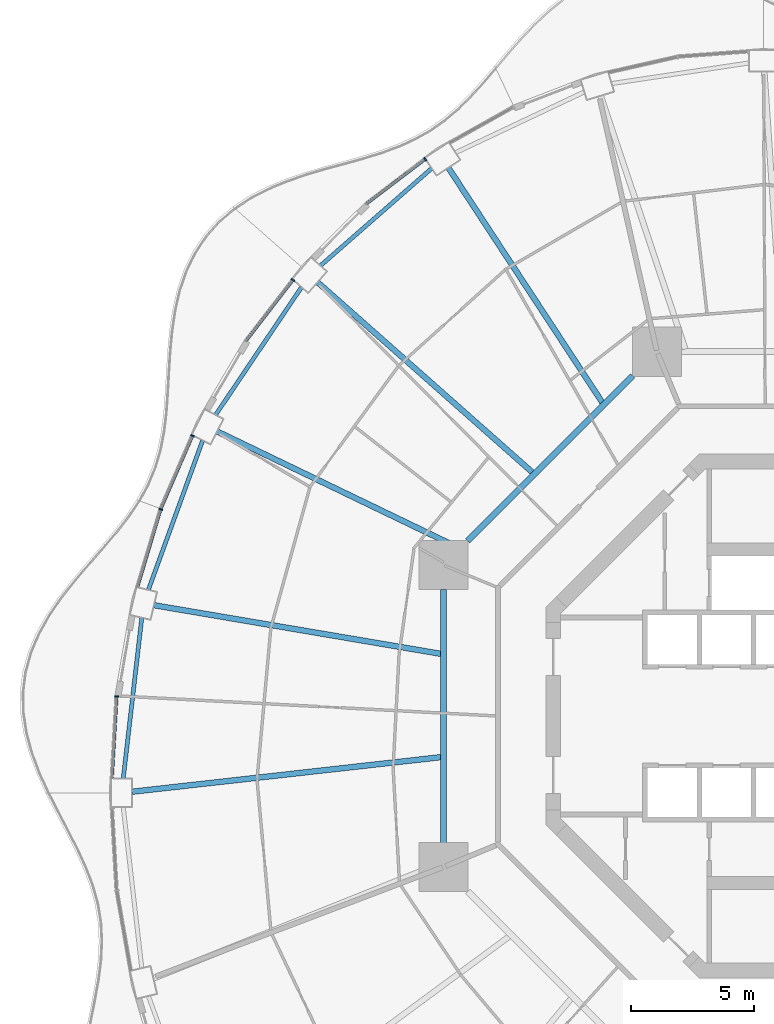
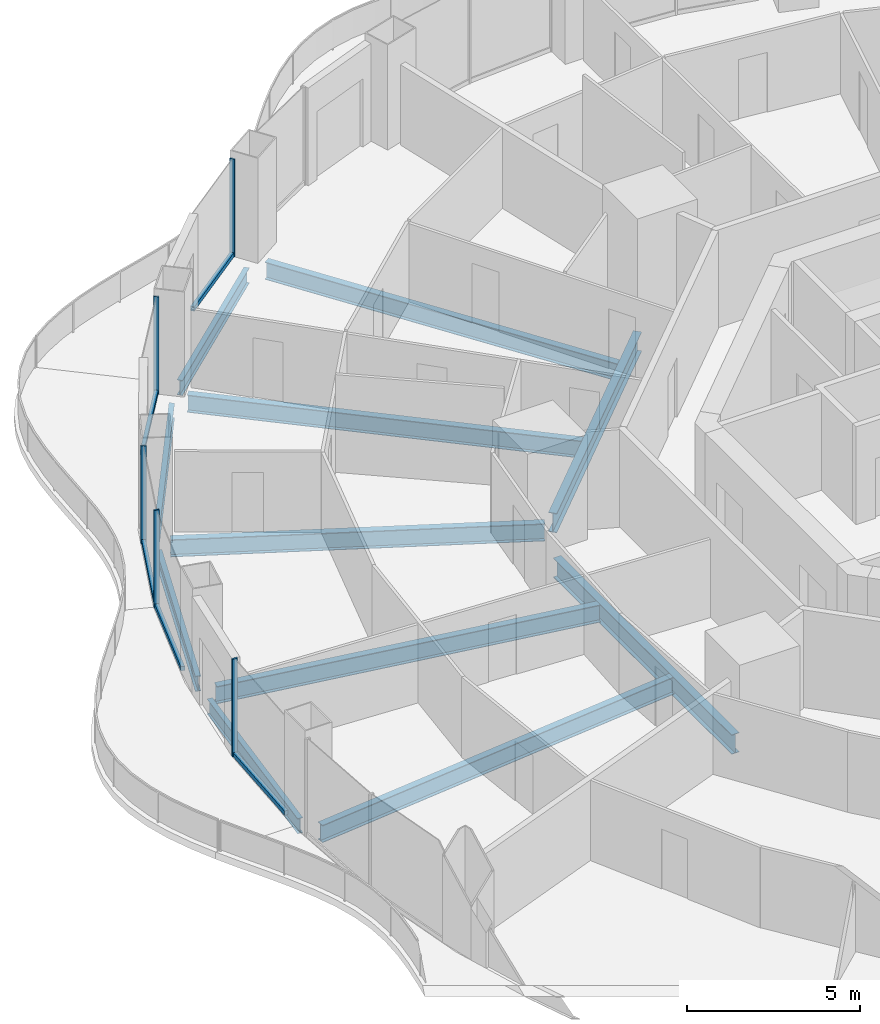
# One storey, part 6 of 20: 11 beams, 10 members, 5 elements without a shape of their own.
"""IFC4 building model written with IfcOpenShell, lengths in metres."""

from ifc_helpers import new_model, si_unit, direction, frame, origin, origin_2d, place, context, subcontext, project, spatial, rectangle, i_section, extrude, material, layer, layer_set, material_profile, profile_set, type_object, element, aggregate, save


model = new_model("IFC4")

# Units and contexts
model_context = context("Model", 3, precision=1e-05, world=origin(), true_north=direction((0.0, 1.0)))
body_context = subcontext(model_context, "Body", "Model", "MODEL_VIEW")
ifc_project = project(units=[si_unit("LENGTHUNIT", "METRE"), si_unit("AREAUNIT", "SQUARE_METRE"), si_unit("VOLUMEUNIT", "CUBIC_METRE"), si_unit("PLANEANGLEUNIT", "RADIAN"), si_unit("MASSUNIT", "GRAM", prefix="KILO")], contexts=[model_context])

# Site, building, storey
site_placement = place(None, origin())
site = spatial("IfcSite", under=ifc_project, at=site_placement, CompositionType="ELEMENT")
building_placement = place(site_placement, origin())
building = spatial("IfcBuilding", under=site, at=building_placement, Name="Nagisa Residences", CompositionType="ELEMENT")
storey_placement = place(building_placement, frame((0.0, 0.0, 152.89990234375)))
storey = spatial("IfcBuildingStorey", under=building, at=storey_placement, Name="L38", CompositionType="ELEMENT", Elevation=152.89990234375)

# Curtain wall, member
ifc_material_1 = material(Name="Concrete-coloured aluminium curtain wall system", Category="concrete")
ifc_layer = layer(ifc_material_1, 0.159912109375)
ifc_layer_set = layer_set([ifc_layer], Name="CW1 CURTAIN WALL")
curtain_wall_type = type_object("IfcCurtainWallType", Name="CW1 CURTAIN WALL", PredefinedType="NOTDEFINED", material=ifc_layer_set)
curtain_wall_1_placement = place(storey_placement, origin())
curtain_wall_1 = element("IfcCurtainWall", 1, at=curtain_wall_1_placement, inside=storey, type_object=curtain_wall_type, Name="cw:CW1:L38:16", PredefinedType="NOTDEFINED")
ifc_material_2 = material(Name="Concrete-coloured aluminium", Category="concrete")
ifc_material_profile_1 = material_profile(ifc_material_2, rectangle(XDim=0.159912109375, YDim=0.06005859375, at=origin_2d()), Name="CW1 MULLION 160x60")
ifc_profile_set_1 = profile_set([ifc_material_profile_1], Name="Concrete-coloured aluminium")
member_type_1 = type_object("IfcMemberType", Name="CW1 MULLION 160x60", PredefinedType="MULLION", material=ifc_profile_set_1)
member_1_placement = place(storey_placement, frame((-15.5205078125, 22.5869140625, 0.0), z_axis=(0.0, 0.0, 1.0), x_axis=(0.605255421737, -0.79603132756, 0.0)))
member_1 = element("IfcMember", 2, at=member_1_placement, type_object=member_type_1, Name="CW1 mullion", PredefinedType="MULLION", context=body_context, shape_type="SweptSolid", body=[
    extrude(rectangle(XDim=0.159912109375, YDim=0.06005859375, at=origin_2d()), origin(), (0.0, 0.0, 1.0), 3.440185546875),
])

curtain_wall_2_placement = place(storey_placement, origin())
curtain_wall_2 = element("IfcCurtainWall", 3, at=curtain_wall_2_placement, inside=storey, type_object=curtain_wall_type, Name="cw:CW1:L38:18", PredefinedType="NOTDEFINED")
member_2_placement = place(storey_placement, frame((-20.88427734375, 17.685546875, 0.0), z_axis=(0.0, 0.0, 1.0), x_axis=(0.792070340816, -0.610429828235, 0.0)))
member_2 = element("IfcMember", 4, at=member_2_placement, type_object=member_type_1, Name="CW1 mullion", PredefinedType="MULLION", context=body_context, shape_type="SweptSolid", body=[
    extrude(rectangle(XDim=0.159912109375, YDim=0.06005859375, at=origin_2d()), origin(), (0.0, 0.0, 1.0), 3.440185546875),
])

curtain_wall_3_placement = place(storey_placement, origin())
curtain_wall_3 = element("IfcCurtainWall", 5, at=curtain_wall_3_placement, inside=storey, type_object=curtain_wall_type, Name="cw:CW1:L38:20", PredefinedType="NOTDEFINED")
member_3_placement = place(storey_placement, frame((-24.95703125, 11.369873046875, 0.0), z_axis=(0.0, 0.0, 1.0), x_axis=(0.917543276295, -0.397635934147, 0.0)))
member_3 = element("IfcMember", 6, at=member_3_placement, type_object=member_type_1, Name="CW1 mullion", PredefinedType="MULLION", context=body_context, shape_type="SweptSolid", body=[
    extrude(rectangle(XDim=0.159912109375, YDim=0.06005859375, at=origin_2d()), origin(), (0.0, 0.0, 1.0), 3.440185546875),
])

curtain_wall_4_placement = place(storey_placement, origin())
curtain_wall_4 = element("IfcCurtainWall", 7, at=curtain_wall_4_placement, inside=storey, type_object=curtain_wall_type, Name="cw:CW1:L38:21", PredefinedType="NOTDEFINED")
member_4_placement = place(storey_placement, frame((-26.2470703125, 8.3857421875, 0.0), z_axis=(0.0, 0.0, 1.0), x_axis=(0.958271310082, -0.285860274038, 0.0)))
member_4 = element("IfcMember", 8, at=member_4_placement, type_object=member_type_1, Name="CW1 mullion", PredefinedType="MULLION", context=body_context, shape_type="SweptSolid", body=[
    extrude(rectangle(XDim=0.159912109375, YDim=0.06005859375, at=origin_2d()), origin(), (0.0, 0.0, 1.0), 3.440185546875),
])

curtain_wall_5_placement = place(storey_placement, origin())
curtain_wall_5 = element("IfcCurtainWall", 9, at=curtain_wall_5_placement, inside=storey, type_object=curtain_wall_type, Name="cw:CW1:L38:23", PredefinedType="NOTDEFINED")
member_5_placement = place(storey_placement, frame((-28.02978515625, 0.7890625, 0.0), z_axis=(0.0, 0.0, 1.0), x_axis=(0.998345305184, -0.057503492216, 0.0)))
member_5 = element("IfcMember", 10, at=member_5_placement, type_object=member_type_1, Name="CW1 mullion", PredefinedType="MULLION", context=body_context, shape_type="SweptSolid", body=[
    extrude(rectangle(XDim=0.159912109375, YDim=0.06005859375, at=origin_2d()), origin(), (0.0, 0.0, 1.0), 3.440185546875),
])

# Member
ifc_material_3 = material(Name="Concrete-coloured aluminium", Category="concrete")
ifc_material_profile_2 = material_profile(ifc_material_3, rectangle(XDim=0.1201171875, YDim=0.14990234375, at=origin_2d()), Name="CW1 TRANSOM 120x150")
ifc_profile_set_2 = profile_set([ifc_material_profile_2], Name="Concrete-coloured aluminium")
member_type_2 = type_object("IfcMemberType", Name="CW1 TRANSOM 120x150", PredefinedType="USERDEFINED", material=ifc_profile_set_2)
member_6_placement = place(storey_placement, frame((-15.49658203125, 22.605224609375, 0.0751953125), z_axis=(-0.796022231079, -0.605267385233, 0.0), x_axis=(0.605267385233, -0.796022231079, 0.0)))
member_6 = element("IfcMember", 11, at=member_6_placement, type_object=member_type_2, Name="CW1 transom", ObjectType="TRANSOM", PredefinedType="USERDEFINED", context=body_context, shape_type="SweptSolid", body=[
    extrude(rectangle(XDim=0.1201171875, YDim=0.14990234375, at=origin_2d()), origin(), (0.0, 0.0, 1.0), 3.025634765625),
])

aggregate(curtain_wall_1, [member_1, member_6])

member_7_placement = place(storey_placement, frame((-20.865966796875, 17.709228515625, 0.0751953125), z_axis=(-0.610467332273, -0.792041435928, 0.0), x_axis=(0.792041435928, -0.610467332273, 0.0)))
member_7 = element("IfcMember", 12, at=member_7_placement, type_object=member_type_2, Name="CW1 transom", ObjectType="TRANSOM", PredefinedType="USERDEFINED", context=body_context, shape_type="SweptSolid", body=[
    extrude(rectangle(XDim=0.1201171875, YDim=0.14990234375, at=origin_2d()), origin(), (0.0, 0.0, 1.0), 3.14892578125),
])

aggregate(curtain_wall_2, [member_2, member_7])

member_8_placement = place(storey_placement, frame((-24.945068359375, 11.3974609375, 0.0751953125), z_axis=(-0.397638954585, -0.917541967321, 0.0), x_axis=(0.917541967321, -0.397638954585, 0.0)))
member_8 = element("IfcMember", 13, at=member_8_placement, type_object=member_type_2, Name="CW1 transom", ObjectType="TRANSOM", PredefinedType="USERDEFINED", context=body_context, shape_type="SweptSolid", body=[
    extrude(rectangle(XDim=0.1201171875, YDim=0.14990234375, at=origin_2d()), origin(), (0.0, 0.0, 1.0), 3.2607421875),
])

aggregate(curtain_wall_3, [member_3, member_8])

member_9_placement = place(storey_placement, frame((-26.238525390625, 8.41455078125, 0.0751953125), z_axis=(-0.285842038783, -0.958276749621, 0.0), x_axis=(0.958276749621, -0.285842038783, 0.0)))
member_9 = element("IfcMember", 14, at=member_9_placement, type_object=member_type_2, Name="CW1 transom", ObjectType="TRANSOM", PredefinedType="USERDEFINED", context=body_context, shape_type="SweptSolid", body=[
    extrude(rectangle(XDim=0.1201171875, YDim=0.14990234375, at=origin_2d()), origin(), (0.0, 0.0, 1.0), 3.302734375),
])

aggregate(curtain_wall_4, [member_4, member_9])

member_10_placement = place(storey_placement, frame((-28.028076171875, 0.81884765625, 0.0751953125), z_axis=(-0.057542018726, -0.998343085357, 0.0), x_axis=(0.998343085357, -0.057542018726, 0.0)))
member_10 = element("IfcMember", 15, at=member_10_placement, type_object=member_type_2, Name="CW1 transom", ObjectType="TRANSOM", PredefinedType="USERDEFINED", context=body_context, shape_type="SweptSolid", body=[
    extrude(rectangle(XDim=0.1201171875, YDim=0.14990234375, at=origin_2d()), origin(), (0.0, 0.0, 1.0), 3.34765625),
])

aggregate(curtain_wall_5, [member_5, member_10])

# Beams
ifc_material_4 = material(Name="Steel ASTM A572 Gr 50", Category="steel")
ifc_material_profile_3 = material_profile(ifc_material_4, i_section(OverallWidth=0.25390625, OverallDepth=0.68408203125, WebThickness=0.012451171875, FlangeThickness=0.018798828125, at=origin_2d()), Name="W690x140")
ifc_profile_set_3 = profile_set([ifc_material_profile_3], Name="Steel ASTM A572 Gr 50")
beam_type_1 = type_object("IfcBeamType", Name="Inner ring beam W690x140", PredefinedType="BEAM", material=ifc_profile_set_3)
beam_1_placement = place(storey_placement, frame((-7.10888671875, 13.796142578125, -0.601806640625), z_axis=(-0.707106781187, -0.707106781187, 0.0), x_axis=(0.707106781187, -0.707106781187, 0.0)))
element("IfcBeam", 16, at=beam_1_placement, inside=storey, type_object=beam_type_1, Name="beam:L38:ib3", PredefinedType="BEAM", context=body_context, shape_type="SweptSolid", body=[
    extrude(i_section(OverallWidth=0.25390625, OverallDepth=0.68408203125, WebThickness=0.012451171875, FlangeThickness=0.018798828125, at=origin_2d()), origin(), (0.0, 0.0, 1.0), 9.457275390625),
])
beam_2_placement = place(storey_placement, frame((-14.781982421875, 5.142822265625, -0.601806640625), z_axis=(0.0, -1.0, 0.0), x_axis=(1.0, 0.0, 0.0)))
element("IfcBeam", 17, at=beam_2_placement, inside=storey, type_object=beam_type_1, Name="beam:L38:ib4", PredefinedType="BEAM", context=body_context, shape_type="SweptSolid", body=[
    extrude(i_section(OverallWidth=0.25390625, OverallDepth=0.68408203125, WebThickness=0.012451171875, FlangeThickness=0.018798828125, at=origin_2d()), origin(), (0.0, 0.0, 1.0), 10.28564453125),
])
ifc_material_5 = material(Name="Steel ASTM A572 Gr 50", Category="steel")
ifc_material_profile_4 = material_profile(ifc_material_5, i_section(OverallWidth=0.166015625, OverallDepth=0.534912109375, WebThickness=0.01025390625, FlangeThickness=0.0166015625, at=origin_2d()), Name="W530x85")
ifc_profile_set_4 = profile_set([ifc_material_profile_4], Name="Steel ASTM A572 Gr 50")
beam_type_2 = type_object("IfcBeamType", Name="Perimeter ring beam W530x85", PredefinedType="BEAM", material=ifc_profile_set_4)
beam_3_placement = place(storey_placement, frame((-15.25830078125, 22.213134765625, -0.52734375), z_axis=(-0.752503526528, -0.658588219272, 0.0), x_axis=(0.658588219272, -0.752503526528, 0.0)))
element("IfcBeam", 18, at=beam_3_placement, inside=storey, type_object=beam_type_2, Name="beam:L38:pb09", PredefinedType="BEAM", context=body_context, shape_type="SweptSolid", body=[
    extrude(i_section(OverallWidth=0.166015625, OverallDepth=0.534912109375, WebThickness=0.01025390625, FlangeThickness=0.0166015625, at=origin_2d()), origin(), (0.0, 0.0, 1.0), 5.99462890625),
])
beam_4_placement = place(storey_placement, frame((-20.5361328125, 17.39453125, -0.52734375), z_axis=(-0.558187951157, -0.82971453596, 0.0), x_axis=(0.82971453596, -0.558187951157, 0.0)))
element("IfcBeam", 19, at=beam_4_placement, inside=storey, type_object=beam_type_2, Name="beam:L38:pb10", PredefinedType="BEAM", context=body_context, shape_type="SweptSolid", body=[
    extrude(i_section(OverallWidth=0.166015625, OverallDepth=0.534912109375, WebThickness=0.01025390625, FlangeThickness=0.0166015625, at=origin_2d()), origin(), (0.0, 0.0, 1.0), 6.24267578125),
])
beam_5_placement = place(storey_placement, frame((-24.54638671875, 11.180419921875, -0.52734375), z_axis=(-0.341366238276, -0.939930365168, 0.0), x_axis=(0.939930365168, -0.341366238276, 0.0)))
element("IfcBeam", 20, at=beam_5_placement, inside=storey, type_object=beam_type_2, Name="beam:L38:pb11", PredefinedType="BEAM", context=body_context, shape_type="SweptSolid", body=[
    extrude(i_section(OverallWidth=0.166015625, OverallDepth=0.534912109375, WebThickness=0.01025390625, FlangeThickness=0.0166015625, at=origin_2d()), origin(), (0.0, 0.0, 1.0), 6.450927734375),
])
beam_6_placement = place(storey_placement, frame((-27.014892578125, 3.98779296875, -0.52734375), z_axis=(-0.114660786771, -0.993404703017, 0.0), x_axis=(0.993404703017, -0.114660786771, 0.0)))
element("IfcBeam", 21, at=beam_6_placement, inside=storey, type_object=beam_type_2, Name="beam:L38:pb12", PredefinedType="BEAM", context=body_context, shape_type="SweptSolid", body=[
    extrude(i_section(OverallWidth=0.166015625, OverallDepth=0.534912109375, WebThickness=0.01025390625, FlangeThickness=0.0166015625, at=origin_2d()), origin(), (0.0, 0.0, 1.0), 6.568603515625),
])
ifc_material_6 = material(Name="Steel ASTM A572 Gr 50", Category="steel")
ifc_material_profile_5 = material_profile(ifc_material_6, i_section(OverallWidth=0.22900390625, OverallDepth=0.612060546875, WebThickness=0.011962890625, FlangeThickness=0.01953125, at=origin_2d()), Name="W610x125")
ifc_profile_set_5 = profile_set([ifc_material_profile_5], Name="Steel ASTM A572 Gr 50")
beam_type_3 = type_object("IfcBeamType", Name="Radial beam W610x125", PredefinedType="BEAM", material=ifc_profile_set_5)
beam_7_placement = place(storey_placement, frame((-14.581787109375, 22.2392578125, -0.56591796875), z_axis=(0.548325250323, -0.836265161212, 0.0), x_axis=(0.836265161212, 0.548325250323, 0.0)))
element("IfcBeam", 22, at=beam_7_placement, inside=storey, type_object=beam_type_3, Name="beam:L38:rb09", PredefinedType="BEAM", context=body_context, shape_type="SweptSolid", body=[
    extrude(i_section(OverallWidth=0.22900390625, OverallDepth=0.612060546875, WebThickness=0.011962890625, FlangeThickness=0.01953125, at=origin_2d()), origin(), (0.0, 0.0, 1.0), 11.385498046875),
])
beam_8_placement = place(storey_placement, frame((-19.887451171875, 17.594970703125, -0.56591796875), z_axis=(0.7489549138, -0.662620960349, 0.0), x_axis=(0.662620960349, 0.7489549138, 0.0)))
element("IfcBeam", 23, at=beam_8_placement, inside=storey, type_object=beam_type_3, Name="beam:L38:rb10", PredefinedType="BEAM", context=body_context, shape_type="SweptSolid", body=[
    extrude(i_section(OverallWidth=0.22900390625, OverallDepth=0.612060546875, WebThickness=0.011962890625, FlangeThickness=0.01953125, at=origin_2d()), origin(), (0.0, 0.0, 1.0), 11.63671875),
])
beam_9_placement = place(storey_placement, frame((-23.95947265625, 11.543212890625, -0.56591796875), z_axis=(0.900896469051, -0.434034044808, 0.0), x_axis=(0.434034044808, 0.900896469051, 0.0)))
element("IfcBeam", 24, at=beam_9_placement, inside=storey, type_object=beam_type_3, Name="beam:L38:rb11", PredefinedType="BEAM", context=body_context, shape_type="SweptSolid", body=[
    extrude(i_section(OverallWidth=0.22900390625, OverallDepth=0.612060546875, WebThickness=0.011962890625, FlangeThickness=0.01953125, at=origin_2d()), origin(), (0.0, 0.0, 1.0), 10.820556640625),
])
beam_10_placement = place(storey_placement, frame((-26.52294921875, 4.495849609375, -0.56591796875), z_axis=(0.985936650852, -0.167119479737, 0.0), x_axis=(0.167119479737, 0.985936650852, 0.0)))
element("IfcBeam", 25, at=beam_10_placement, inside=storey, type_object=beam_type_3, Name="beam:L38:rb12", PredefinedType="BEAM", context=body_context, shape_type="SweptSolid", body=[
    extrude(i_section(OverallWidth=0.22900390625, OverallDepth=0.612060546875, WebThickness=0.011962890625, FlangeThickness=0.01953125, at=origin_2d()), origin(), (0.0, 0.0, 1.0), 11.799560546875),
])
beam_11_placement = place(storey_placement, frame((-27.40478515625, -3.069580078125, -0.56591796875), z_axis=(0.993785470482, 0.111312347291, 0.0), x_axis=(-0.111312347291, 0.993785470482, 0.0)))
element("IfcBeam", 26, at=beam_11_placement, inside=storey, type_object=beam_type_3, Name="beam:L38:rb13", PredefinedType="BEAM", context=body_context, shape_type="SweptSolid", body=[
    extrude(i_section(OverallWidth=0.22900390625, OverallDepth=0.612060546875, WebThickness=0.011962890625, FlangeThickness=0.01953125, at=origin_2d()), origin(), (0.0, 0.0, 1.0), 12.593994140625),
])

save(model, "model.ifc")
